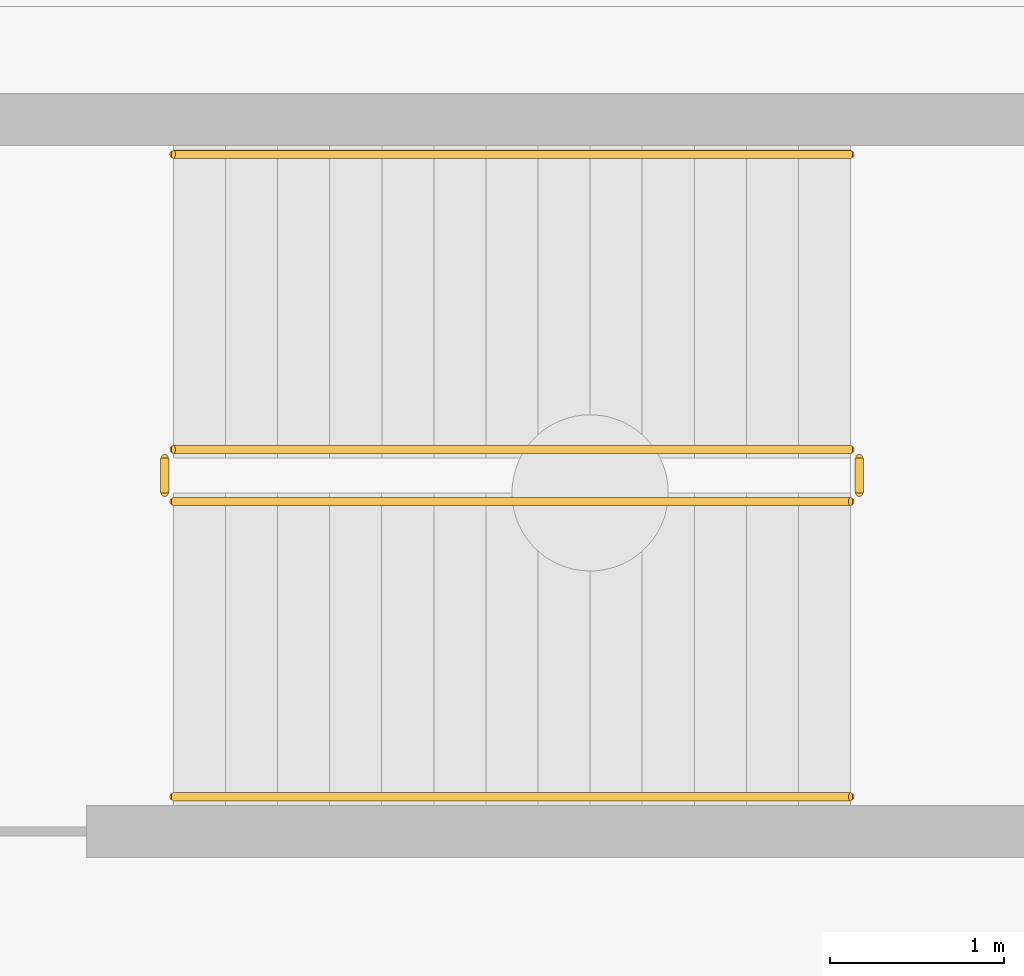
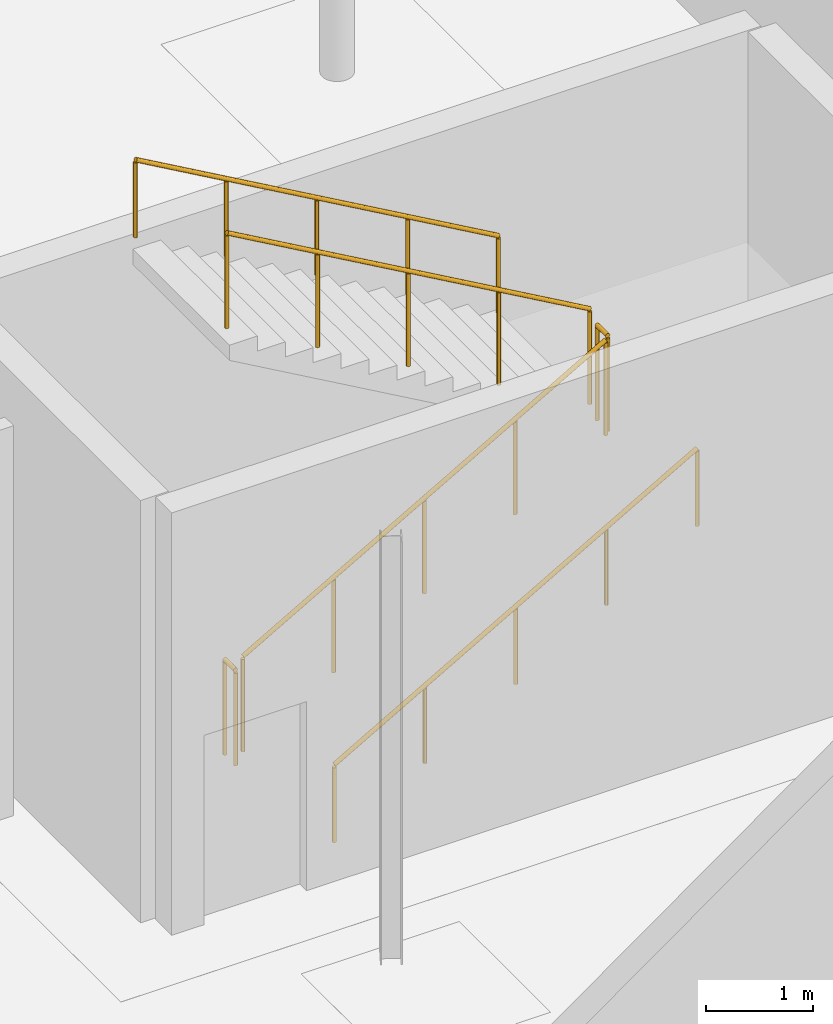
# One storey, part 134 of 136: 6 railings.
"""IFC4 building model written with IfcOpenShell, lengths in metres."""

from ifc_helpers import new_model, si_unit, direction, frame, origin, origin_2d, place, context, subcontext, project, spatial, circle, extrude, material, type_object, element, save


model = new_model("IFC4")

# Units and contexts
model_context = context("Model", 3, precision=1e-05, world=origin(), true_north=direction((0.0, 1.0)))
body_context = subcontext(model_context, "Body", "Model", "MODEL_VIEW")
ifc_project = project(units=[si_unit("LENGTHUNIT", "METRE"), si_unit("AREAUNIT", "SQUARE_METRE"), si_unit("VOLUMEUNIT", "CUBIC_METRE"), si_unit("PLANEANGLEUNIT", "RADIAN"), si_unit("MASSUNIT", "GRAM", prefix="KILO")], contexts=[model_context])

# Site, building, storey
site_placement = place(None, origin())
site = spatial("IfcSite", under=ifc_project, at=site_placement, CompositionType="ELEMENT")
building_placement = place(site_placement, origin())
building = spatial("IfcBuilding", under=site, at=building_placement, Name="Tarnwether General Hospital", CompositionType="ELEMENT")
storey_placement = place(building_placement, frame((0.0, 0.0, -4.800048828125)))
storey = spatial("IfcBuildingStorey", under=building, at=storey_placement, Name="LG", CompositionType="ELEMENT", Elevation=-4.800048828125)

# Railings
ifc_material_1 = material(Name="Anodised aluminium", Category="aluminium")
railing_type_1 = type_object("IfcRailingType", Name="RL-GRD-INT", PredefinedType="GUARDRAIL", material=ifc_material_1)
railing_1_placement = place(storey_placement, frame((113.39990234375, 105.949951171875, 0.17138671875)))
element("IfcRailing", 1, at=railing_1_placement, inside=storey, type_object=railing_type_1, Name="LG ST-08 stair guard 1", PredefinedType="GUARDRAIL", context=body_context, shape_type="SweptSolid", body=[
    extrude(circle(Radius=0.02392578125, at=origin_2d()), frame((0.0, 0.0, 1.076171875), z_axis=(0.868233108195, 0.0, 0.496156497321), x_axis=(0.0, 1.0, 0.0)), (0.0, 0.0, 1.0), 4.491943359375),
    extrude(circle(Radius=0.02099609375, at=origin_2d()), origin(), (0.0, 0.0, 1.0), 1.052001953125),
    extrude(circle(Radius=0.02099609375, at=origin_2d()), frame((0.97509765625, 0.0, 0.55712890625)), (0.0, 0.0, 1.0), 1.052001953125),
    extrude(circle(Radius=0.02099609375, at=origin_2d()), frame((1.9501953125, 0.0, 1.1142578125)), (0.0, 0.0, 1.0), 1.052001953125),
    extrude(circle(Radius=0.02099609375, at=origin_2d()), frame((2.925048828125, 0.0, 1.671630859375)), (0.0, 0.0, 1.0), 1.052001953125),
    extrude(circle(Radius=0.02099609375, at=origin_2d()), frame((3.900146484375, 0.0, 2.228759765625)), (0.0, 0.0, 1.0), 1.052001953125),
])
railing_2_placement = place(storey_placement, frame((117.35009765625, 106.0, 2.400146484375)))
element("IfcRailing", 2, at=railing_2_placement, inside=storey, type_object=railing_type_1, Name="LG ST-08 stair guard 2", PredefinedType="GUARDRAIL", context=body_context, shape_type="SweptSolid", body=[
    extrude(circle(Radius=0.02392578125, at=origin_2d()), frame((0.0, 0.0, 1.076171875), z_axis=(0.0, 1.0, 0.0), x_axis=(-1.0, 0.0, 0.0)), (0.0, 0.0, 1.0), 0.199951171875),
    extrude(circle(Radius=0.02099609375, at=origin_2d()), origin(), (0.0, 0.0, 1.0), 1.052001953125),
    extrude(circle(Radius=0.02099609375, at=origin_2d()), frame((0.0, 0.199951171875, 0.0)), (0.0, 0.0, 1.0), 1.052001953125),
])
railing_3_placement = place(storey_placement, frame((117.300048828125, 106.25, 2.571533203125)))
element("IfcRailing", 3, at=railing_3_placement, inside=storey, type_object=railing_type_1, Name="LG ST-08 stair guard 3", PredefinedType="GUARDRAIL", context=body_context, shape_type="SweptSolid", body=[
    extrude(circle(Radius=0.02392578125, at=origin_2d()), frame((0.0, 0.0, 1.076171875), z_axis=(-0.868256520506, 0.0, 0.496115525457), x_axis=(0.0, -1.0, 0.0)), (0.0, 0.0, 1.0), 4.491943359375),
    extrude(circle(Radius=0.02099609375, at=origin_2d()), origin(), (0.0, 0.0, 1.0), 1.052001953125),
    extrude(circle(Radius=0.02099609375, at=origin_2d()), frame((-0.97509765625, 0.0, 0.55712890625)), (0.0, 0.0, 1.0), 1.052001953125),
    extrude(circle(Radius=0.02099609375, at=origin_2d()), frame((-1.9501953125, 0.0, 1.1142578125)), (0.0, 0.0, 1.0), 1.052001953125),
    extrude(circle(Radius=0.02099609375, at=origin_2d()), frame((-2.925048828125, 0.0, 1.67138671875)), (0.0, 0.0, 1.0), 1.052001953125),
    extrude(circle(Radius=0.02099609375, at=origin_2d()), frame((-3.900146484375, 0.0, 2.228515625)), (0.0, 0.0, 1.0), 1.052001953125),
])
railing_4_placement = place(storey_placement, frame((113.35009765625, 106.0, 0.0)))
element("IfcRailing", 4, at=railing_4_placement, inside=storey, type_object=railing_type_1, Name="LG ST-08 stair guard 4", PredefinedType="GUARDRAIL", context=body_context, shape_type="SweptSolid", body=[
    extrude(circle(Radius=0.02392578125, at=origin_2d()), frame((0.0, 0.0, 1.076171875), z_axis=(0.0, 1.0, 0.0), x_axis=(-1.0, 0.0, 0.0)), (0.0, 0.0, 1.0), 0.199951171875),
    extrude(circle(Radius=0.02099609375, at=origin_2d()), origin(), (0.0, 0.0, 1.0), 1.052001953125),
    extrude(circle(Radius=0.02099609375, at=origin_2d()), frame((0.0, 0.199951171875, 0.0)), (0.0, 0.0, 1.0), 1.052001953125),
])
ifc_material_2 = material(Name="Anodised aluminium", Category="aluminium")
railing_type_2 = type_object("IfcRailingType", Name="RL-HND-INT", PredefinedType="HANDRAIL", material=ifc_material_2)
railing_5_placement = place(storey_placement, frame((113.39990234375, 104.25, 0.17138671875)))
element("IfcRailing", 5, at=railing_5_placement, inside=storey, type_object=railing_type_2, Name="LG ST-08 stair handrail 1", PredefinedType="HANDRAIL", context=body_context, shape_type="SweptSolid", body=[
    extrude(circle(Radius=0.02392578125, at=origin_2d()), frame((0.0, 0.0, 0.8759765625), z_axis=(0.868233108195, 0.0, 0.496156497321), x_axis=(0.0, 1.0, 0.0)), (0.0, 0.0, 1.0), 4.491943359375),
    extrude(circle(Radius=0.02099609375, at=origin_2d()), origin(), (0.0, 0.0, 1.0), 0.851806640625),
    extrude(circle(Radius=0.02099609375, at=origin_2d()), frame((0.97509765625, 0.0, 0.55712890625)), (0.0, 0.0, 1.0), 0.851806640625),
    extrude(circle(Radius=0.02099609375, at=origin_2d()), frame((1.9501953125, 0.0, 1.1142578125)), (0.0, 0.0, 1.0), 0.851806640625),
    extrude(circle(Radius=0.02099609375, at=origin_2d()), frame((2.925048828125, 0.0, 1.671630859375)), (0.0, 0.0, 1.0), 0.851806640625),
    extrude(circle(Radius=0.02099609375, at=origin_2d()), frame((3.900146484375, 0.0, 2.228759765625)), (0.0, 0.0, 1.0), 0.851806640625),
])
railing_6_placement = place(storey_placement, frame((117.300048828125, 107.949951171875, 2.571533203125)))
element("IfcRailing", 6, at=railing_6_placement, inside=storey, type_object=railing_type_2, Name="LG ST-08 stair handrail 2", PredefinedType="HANDRAIL", context=body_context, shape_type="SweptSolid", body=[
    extrude(circle(Radius=0.02392578125, at=origin_2d()), frame((0.0, 0.0, 0.8759765625), z_axis=(-0.868256520506, 0.0, 0.496115525457), x_axis=(0.0, -1.0, 0.0)), (0.0, 0.0, 1.0), 4.491943359375),
    extrude(circle(Radius=0.02099609375, at=origin_2d()), origin(), (0.0, 0.0, 1.0), 0.851806640625),
    extrude(circle(Radius=0.02099609375, at=origin_2d()), frame((-0.97509765625, 0.0, 0.55712890625)), (0.0, 0.0, 1.0), 0.851806640625),
    extrude(circle(Radius=0.02099609375, at=origin_2d()), frame((-1.9501953125, 0.0, 1.1142578125)), (0.0, 0.0, 1.0), 0.851806640625),
    extrude(circle(Radius=0.02099609375, at=origin_2d()), frame((-2.925048828125, 0.0, 1.67138671875)), (0.0, 0.0, 1.0), 0.851806640625),
    extrude(circle(Radius=0.02099609375, at=origin_2d()), frame((-3.900146484375, 0.0, 2.228515625)), (0.0, 0.0, 1.0), 0.851806640625),
])

save(model, "model.ifc")
